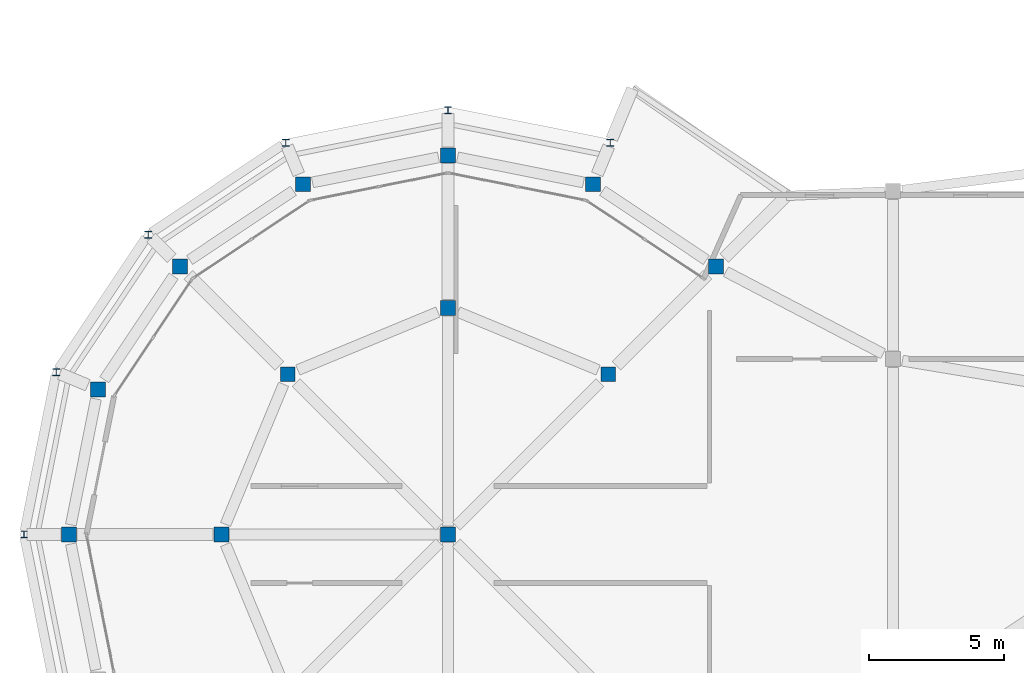
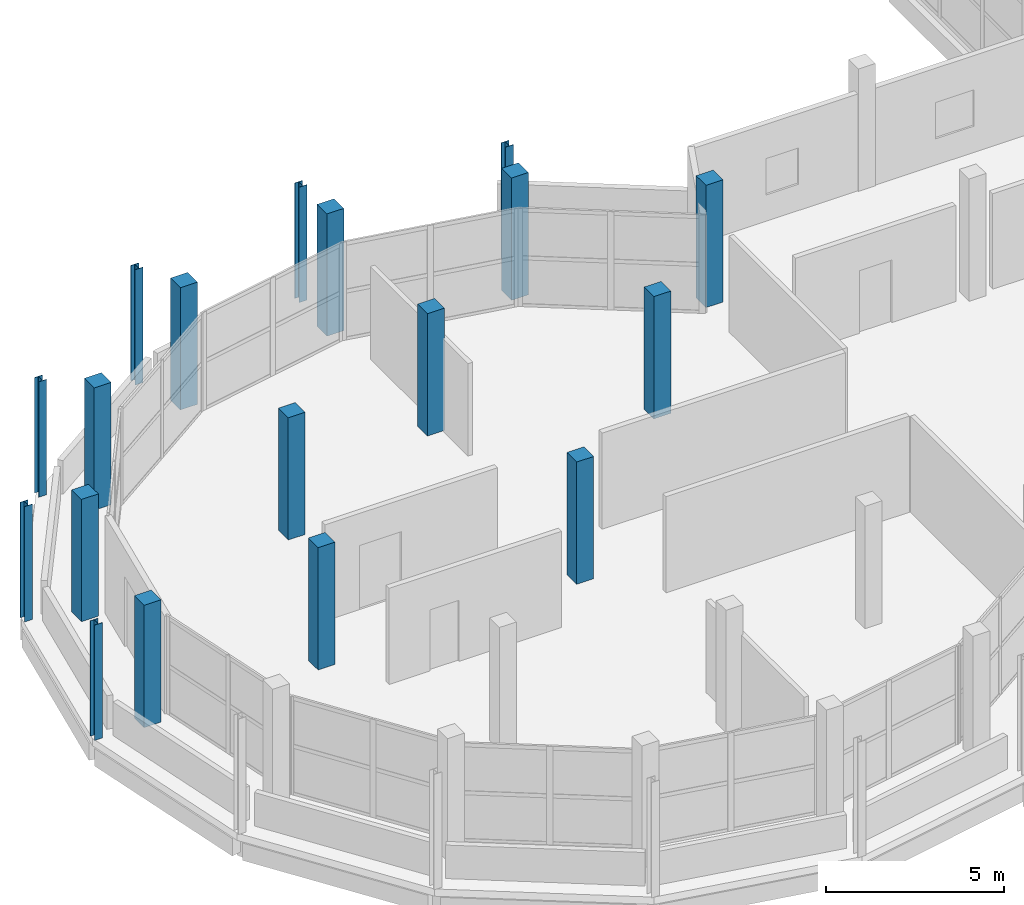
# One storey, part 3 of 63: 18 columns.
"""IFC4 building model written with IfcOpenShell, lengths in metres."""

from ifc_helpers import new_model, si_unit, direction, frame, origin, origin_2d, place, context, subcontext, project, spatial, rectangle, i_section, extrude, material, material_profile, profile_set, type_object, element, save


model = new_model("IFC4")

# Units and contexts
model_context = context("Model", 3, precision=1e-05, world=origin(), true_north=direction((0.0, 1.0)))
body_context = subcontext(model_context, "Body", "Model", "MODEL_VIEW")
ifc_project = project(units=[si_unit("LENGTHUNIT", "METRE"), si_unit("AREAUNIT", "SQUARE_METRE"), si_unit("VOLUMEUNIT", "CUBIC_METRE"), si_unit("PLANEANGLEUNIT", "RADIAN"), si_unit("MASSUNIT", "GRAM", prefix="KILO")], contexts=[model_context])

# Site, building, storey
site_placement = place(None, origin())
site = spatial("IfcSite", under=ifc_project, at=site_placement, CompositionType="ELEMENT")
building_placement = place(site_placement, origin())
building = spatial("IfcBuilding", under=site, at=building_placement, Name="Jelvoka-Kovrelna Polytechnic", CompositionType="ELEMENT")
storey_placement = place(building_placement, frame((0.0, 0.0, 18.0)))
storey = spatial("IfcBuildingStorey", under=building, at=storey_placement, Name="L05", CompositionType="ELEMENT", Elevation=18.0)

# Columns
ifc_material_1 = material(Name="Concrete C40/50", Category="concrete")
ifc_material_profile_1 = material_profile(ifc_material_1, rectangle(XDim=0.550048828125, YDim=0.550048828125, at=origin_2d()), Name="RC 550x550")
ifc_profile_set_1 = profile_set([ifc_material_profile_1], Name="Concrete C40/50")
column_type_1 = type_object("IfcColumnType", Name="Col_RC_550", PredefinedType="COLUMN", material=ifc_profile_set_1)
for number, where, z_axis, x_axis, name in (
    (1, (11.449951171875, 42.5, 0.0), (0.0, 0.0, 1.0), (1.0, 0.0, 0.0), "L05 column 0759"),
    (2, (17.10009765625, 42.5, 0.0), (0.0, 0.0, 1.0), (1.0, 0.0, 0.0), "L05 column 0765"),
    (3, (25.5, 42.5, 0.0), (0.0, 0.0, 1.0), (1.0, 0.0, 0.0), "L05 column 0771"),
    (4, (12.51953125, 47.876708984375, 0.0), (0.0, 0.0, 1.0), (1.0, 0.0, 0.0), "L05 column 0777"),
    (5, (19.560302734375, 48.439697265625, 0.0), (0.0, 0.0, 1.0), (1.0, 0.0, 0.0), "L05 column 0923"),
    (6, (31.439697265625, 48.439697265625, 0.0), (0.0, 0.0, 1.0), (1.0, 0.0, 0.0), "L05 column 0929"),
    (7, (25.5, 50.89990234375, 0.0), (0.0, 0.0, 1.0), (1.0, 0.0, 0.0), "L05 column 0941"),
    (8, (15.565185546875, 52.434814453125, 0.0), (0.0, 0.0, 1.0), (1.0, 0.0, 0.0), "L05 column 0947"),
    (9, (35.434814453125, 52.434814453125, 0.0), (0.0, 0.0, 1.0), (1.0, 0.0, 0.0), "L05 column 0953"),
    (10, (20.123291015625, 55.48046875, 0.0), (0.0, 0.0, 1.0), (1.0, 0.0, 0.0), "L05 column 0965"),
    (11, (30.876708984375, 55.48046875, 0.0), (0.0, 0.0, 1.0), (1.0, 0.0, 0.0), "L05 column 0971"),
    (12, (25.5, 56.550048828125, 0.0), (0.0, 0.0, 1.0), (1.0, 0.0, 0.0), "L05 column 1138"),
):
    element("IfcColumn", number, at=place(storey_placement, frame(where, z_axis=z_axis, x_axis=x_axis)), inside=storey, type_object=column_type_1, Name=name, PredefinedType="COLUMN", context=body_context, shape_type="SweptSolid", body=[
        extrude(rectangle(XDim=0.550048828125, YDim=0.550048828125, at=origin_2d()), origin(), (0.0, 0.0, 1.0), 4.199951171875),
    ])
ifc_material_2 = material(Name="Structural steel S355JR", Category="steel")
ifc_material_profile_2 = material_profile(ifc_material_2, i_section(OverallWidth=0.254638671875, OverallDepth=0.254150390625, WebThickness=0.008544921875, FlangeThickness=0.01416015625, FilletRadius=0.0126953125, at=origin_2d()), Name="254x254x73 UC")
ifc_profile_set_2 = profile_set([ifc_material_profile_2], Name="Structural steel S355JR")
column_type_2 = type_object("IfcColumnType", Name="Col_Steel_UC254", PredefinedType="COLUMN", material=ifc_profile_set_2)
for number, where, z_axis, x_axis, name in (
    (13, (31.515869140625, 57.0234375, 0.0), (0.0, 0.0, 1.0), (1.0, 0.0, 0.0), "L05 recessed rotunda gallery post 1727"),
    (14, (25.5, 58.219970703125, 0.0), (0.0, 0.0, 1.0), (1.0, 0.0, 0.0), "L05 recessed rotunda gallery post 1733"),
    (15, (19.484130859375, 57.0234375, 0.0), (0.0, 0.0, 1.0), (1.0, 0.0, 0.0), "L05 recessed rotunda gallery post 1739"),
    (16, (14.38427734375, 53.61572265625, 0.0), (0.0, 0.0, 1.0), (1.0, 0.0, 0.0), "L05 recessed rotunda gallery post 1745"),
    (17, (10.9765625, 48.515869140625, 0.0), (0.0, 0.0, 1.0), (1.0, 0.0, 0.0), "L05 recessed rotunda gallery post 1751"),
    (18, (9.780029296875, 42.5, 0.0), (0.0, 0.0, 1.0), (1.0, 0.0, 0.0), "L05 recessed rotunda gallery post 1757"),
):
    element("IfcColumn", number, at=place(storey_placement, frame(where, z_axis=z_axis, x_axis=x_axis)), inside=storey, type_object=column_type_2, Name=name, PredefinedType="COLUMN", context=body_context, shape_type="SweptSolid", body=[
        extrude(i_section(OverallWidth=0.254638671875, OverallDepth=0.254150390625, WebThickness=0.008544921875, FlangeThickness=0.01416015625, FilletRadius=0.0126953125, at=origin_2d()), origin(), (0.0, 0.0, 1.0), 3.9599609375),
    ])

save(model, "model.ifc")
